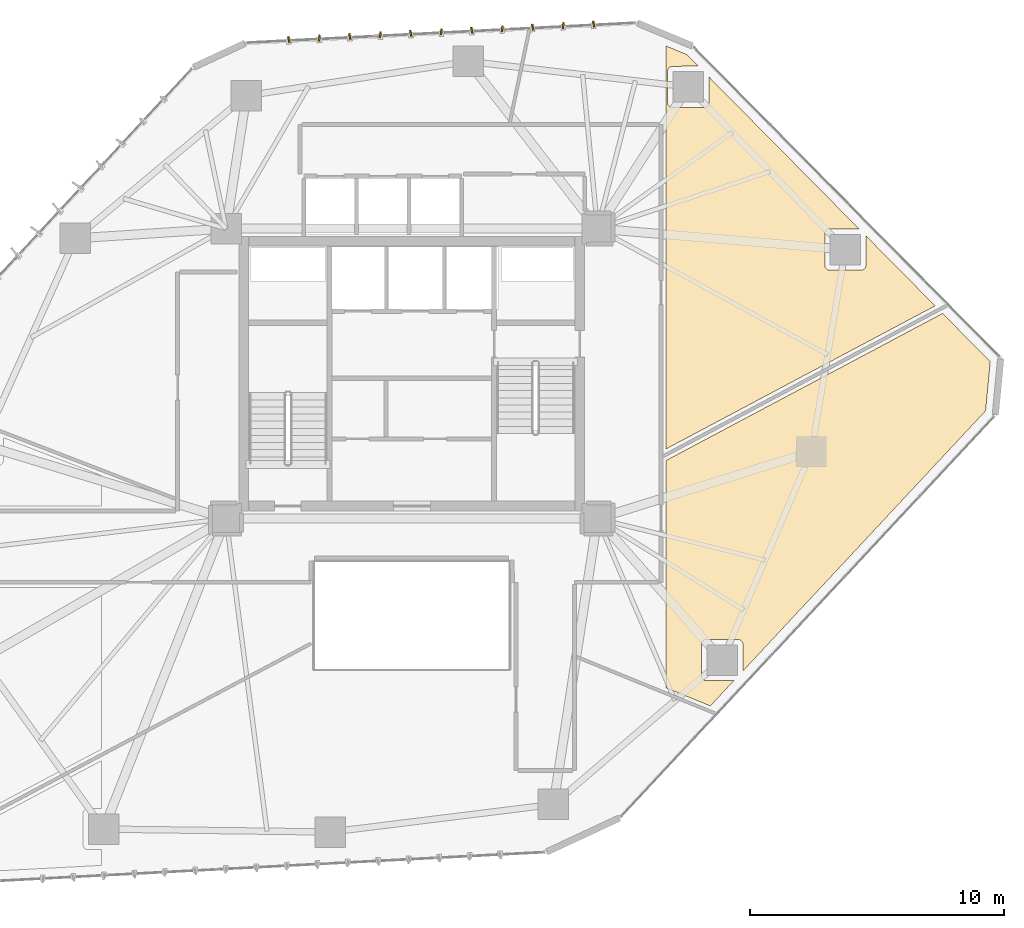
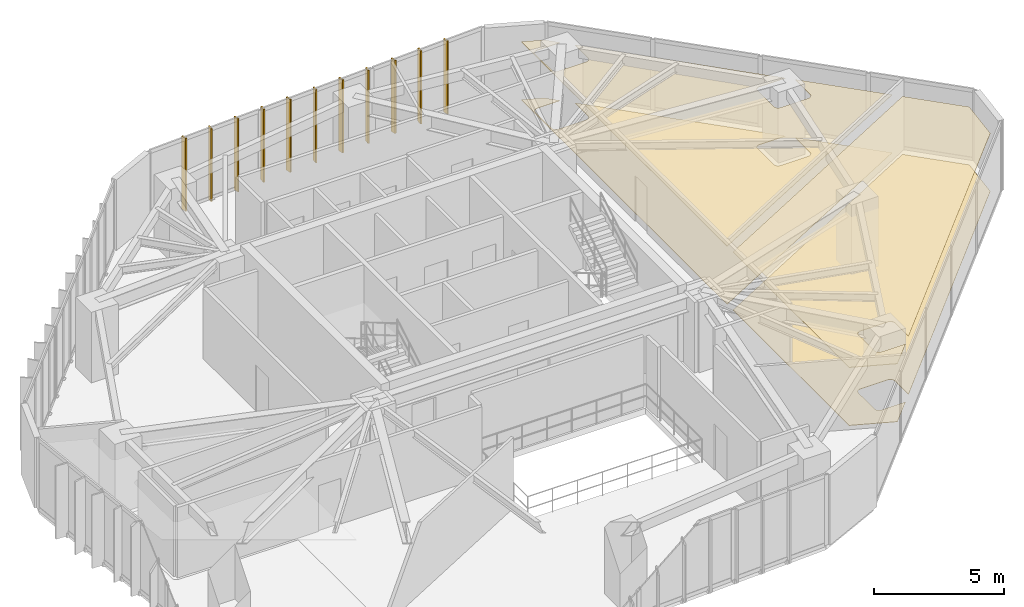
# One storey, part 23 of 23: 11 shading devices, 4 coverings.
"""IFC4 building model written with IfcOpenShell, lengths in metres."""

from ifc_helpers import new_model, si_unit, direction, frame, origin, origin_2d, place, context, subcontext, project, spatial, polyline, rectangle, outline, extrude, source, transform, mapped, material, layer, layer_set, type_object, type_shapes, element, save


model = new_model("IFC4")

# Units and contexts
model_context = context("Model", 3, precision=1e-05, world=origin(), true_north=direction((0.0, 1.0)))
body_context = subcontext(model_context, "Body", "Model", "MODEL_VIEW")
ifc_project = project(units=[si_unit("LENGTHUNIT", "METRE"), si_unit("AREAUNIT", "SQUARE_METRE"), si_unit("VOLUMEUNIT", "CUBIC_METRE"), si_unit("PLANEANGLEUNIT", "RADIAN"), si_unit("MASSUNIT", "GRAM", prefix="KILO")], contexts=[model_context])

# Site, building, storey
site_placement = place(None, origin())
site = spatial("IfcSite", under=ifc_project, at=site_placement, CompositionType="ELEMENT")
building_placement = place(site_placement, origin())
building = spatial("IfcBuilding", under=site, at=building_placement, Name="Talar Marvaseh", CompositionType="ELEMENT")
storey_placement = place(building_placement, frame((0.0, 0.0, 100.199951171875)))
storey = spatial("IfcBuildingStorey", under=building, at=storey_placement, Name="L25", CompositionType="ELEMENT", Elevation=100.199951171875)

# Coverings
ifc_material_1 = material(Name="Mineral Fibre Acoustic Ceiling")
ifc_layer_1 = layer(ifc_material_1, 0.02490234375)
ifc_layer_set_1 = layer_set([ifc_layer_1], Name="Mineral Fibre Acoustic Ceiling")
covering_type_1 = type_object("IfcCoveringType", Name="Perforated Mineral Fibre Acoustic Suspended Ceiling", PredefinedType="CEILING", material=ifc_layer_set_1)
covering_1_placement = place(storey_placement, frame((0.0, 0.0, 2.719970703125)))
element("IfcCovering", 1, at=covering_1_placement, inside=storey, type_object=covering_type_1, Name="L25 Archival Research Office Acoustic Ceiling", PredefinedType="CEILING", context=body_context, shape_type="SweptSolid", body=[
    extrude(outline(polyline([(36.0, 18.84619140625), (36.0, 23.0), (36.0, 27.79052734375), (46.865234375, 33.56787109375), (48.73876953125, 31.671630859375), (48.554931640625, 29.73828125), (39.017333984375, 19.513427734375), (39.02099609375, 20.541748046875), (39.02001953125, 20.560302734375), (39.017578125, 20.578857421875), (39.01318359375, 20.596923828125), (39.00732421875, 20.614501953125), (39.0, 20.631591796875), (38.990966796875, 20.64794921875), (38.980224609375, 20.663330078125), (38.968505859375, 20.677490234375), (38.955078125, 20.690673828125), (38.940185546875, 20.7041015625), (38.926025390625, 20.716064453125), (38.91064453125, 20.726318359375), (38.89453125, 20.7353515625), (38.877685546875, 20.74267578125), (38.860107421875, 20.74853515625), (38.842041015625, 20.752685546875), (38.82373046875, 20.755126953125), (38.805419921875, 20.756103515625), (37.5947265625, 20.751708984375), (37.5751953125, 20.75048828125), (37.555908203125, 20.74755859375), (37.536865234375, 20.742919921875), (37.518310546875, 20.736083984375), (37.500732421875, 20.727783203125), (37.48388671875, 20.717529296875), (37.46826171875, 20.705810546875), (37.45361328125, 20.69287109375), (37.440673828125, 20.67822265625), (37.428955078125, 20.66259765625), (37.4189453125, 20.645751953125), (37.41064453125, 20.6279296875), (37.404052734375, 20.609619140625), (37.399169921875, 20.590576171875), (37.396484375, 20.5712890625), (37.3955078125, 20.551513671875), (37.3955078125, 19.330322265625), (37.396484375, 19.310791015625), (37.399169921875, 19.29150390625), (37.404052734375, 19.272216796875), (37.41064453125, 19.25390625), (37.4189453125, 19.236083984375), (37.42919921875, 19.21923828125), (37.44091796875, 19.20361328125), (37.4541015625, 19.18896484375), (37.468505859375, 19.17578125), (37.484375, 19.1640625), (37.501220703125, 19.154052734375), (37.518798828125, 19.1455078125), (37.537353515625, 19.138916015625), (37.556396484375, 19.13427734375), (37.57568359375, 19.13134765625), (37.595458984375, 19.13037109375), (38.659912109375, 19.13037109375), (37.73583984375, 18.139892578125), (36.0, 18.84619140625)])), origin(), (0.0, 0.0, 1.0), 0.025146484375),
])
covering_2_placement = place(storey_placement, frame((0.0, 0.0, 2.719970703125)))
element("IfcCovering", 2, at=covering_2_placement, inside=storey, type_object=covering_type_1, Name="L25 Accessible WC Block Acoustic Ceiling", PredefinedType="CEILING", context=body_context, shape_type="SweptSolid", body=[
    extrude(outline(polyline([(36.254638671875, 43.281494140625), (36.235107421875, 43.280517578125), (36.2158203125, 43.277587890625), (36.19677734375, 43.272705078125), (36.178466796875, 43.26611328125), (36.16064453125, 43.2578125), (36.143798828125, 43.24755859375), (36.128173828125, 43.23583984375), (36.11376953125, 43.222900390625), (36.1005859375, 43.208251953125), (36.089111328125, 43.1923828125), (36.078857421875, 43.17578125), (36.070556640625, 43.157958984375), (36.06396484375, 43.139404296875), (36.05908203125, 43.12060546875), (36.056396484375, 43.101318359375), (36.055419921875, 43.08154296875), (36.055419921875, 41.8603515625), (36.056396484375, 41.8408203125), (36.05908203125, 41.8212890625), (36.06396484375, 41.80224609375), (36.070556640625, 41.783935546875), (36.0791015625, 41.76611328125), (36.089111328125, 41.749267578125), (36.100830078125, 41.7333984375), (36.114013671875, 41.718994140625), (36.12841796875, 41.705810546875), (36.144287109375, 41.694091796875), (36.1611328125, 41.68408203125), (36.178955078125, 41.675537109375), (36.197265625, 41.6689453125), (36.21630859375, 41.664306640625), (36.23583984375, 41.661376953125), (36.25537109375, 41.660400390625), (37.4765625, 41.660400390625), (37.49609375, 41.661376953125), (37.515380859375, 41.664306640625), (37.534423828125, 41.6689453125), (37.552978515625, 41.675537109375), (37.57080078125, 41.683837890625), (37.58740234375, 41.694091796875), (37.603271484375, 41.70556640625), (37.617919921875, 41.71875), (37.630859375, 41.733154296875), (37.642578125, 41.748779296875), (37.65283203125, 41.765625), (37.6611328125, 41.783447265625), (37.667724609375, 41.8017578125), (37.672607421875, 41.82080078125), (37.675537109375, 41.840087890625), (37.676513671875, 41.859619140625), (37.68017578125, 42.864501953125), (43.582275390625, 36.890869140625), (42.4326171875, 36.88671875), (42.4130859375, 36.885498046875), (42.393798828125, 36.882568359375), (42.374755859375, 36.877685546875), (42.3564453125, 36.87109375), (42.338623046875, 36.86279296875), (42.322021484375, 36.8525390625), (42.30615234375, 36.8408203125), (42.291748046875, 36.827880859375), (42.278564453125, 36.813232421875), (42.26708984375, 36.797607421875), (42.2568359375, 36.78076171875), (42.24853515625, 36.762939453125), (42.241943359375, 36.744384765625), (42.2373046875, 36.7255859375), (42.234375, 36.706298828125), (42.2333984375, 36.6865234375), (42.2333984375, 35.46533203125), (42.234375, 35.44580078125), (42.2373046875, 35.426513671875), (42.241943359375, 35.4072265625), (42.24853515625, 35.388916015625), (42.257080078125, 35.37109375), (42.26708984375, 35.354248046875), (42.27880859375, 35.33837890625), (42.2919921875, 35.323974609375), (42.306396484375, 35.310791015625), (42.322265625, 35.299072265625), (42.339111328125, 35.2890625), (42.35693359375, 35.280517578125), (42.375244140625, 35.27392578125), (42.394287109375, 35.269287109375), (42.413818359375, 35.266357421875), (42.433349609375, 35.265380859375), (43.654541015625, 35.265380859375), (43.67431640625, 35.266357421875), (43.693603515625, 35.269287109375), (43.71240234375, 35.27392578125), (43.73095703125, 35.280517578125), (43.748779296875, 35.288818359375), (43.765380859375, 35.299072265625), (43.78125, 35.310546875), (43.7958984375, 35.32373046875), (43.808837890625, 35.338134765625), (43.820556640625, 35.35400390625), (43.830810546875, 35.37060546875), (43.839111328125, 35.388427734375), (43.845703125, 35.40673828125), (43.8505859375, 35.42578125), (43.853515625, 35.445068359375), (43.8544921875, 35.464599609375), (43.858642578125, 36.611083984375), (46.572021484375, 33.86474609375), (36.0, 28.24365234375), (36.0, 41.0), (36.0, 44.07958984375), (36.81591796875, 43.739501953125), (37.2646484375, 43.285400390625), (36.254638671875, 43.281494140625)])), origin(), (0.0, 0.0, 1.0), 0.025146484375),
])
ifc_material_2 = material(Name="Porcelain Stoneware Tile", Category="masonry")
ifc_layer_2 = layer(ifc_material_2, 0.02001953125)
ifc_layer_set_2 = layer_set([ifc_layer_2], Name="Porcelain Stoneware Tile")
covering_type_2 = type_object("IfcCoveringType", Name="Polished Porcelain Stoneware Gallery Flooring", PredefinedType="FLOORING", material=ifc_layer_set_2)
covering_3_placement = place(storey_placement, origin())
element("IfcCovering", 3, at=covering_3_placement, inside=storey, type_object=covering_type_2, Name="L25 Archival Research Office Flooring", PredefinedType="FLOORING", context=body_context, shape_type="SweptSolid", body=[
    extrude(outline(polyline([(36.0, 18.84619140625), (36.0, 23.0), (36.0, 27.79052734375), (46.865234375, 33.56787109375), (48.73876953125, 31.671630859375), (48.554931640625, 29.73828125), (39.017333984375, 19.513427734375), (39.02099609375, 20.541748046875), (39.02001953125, 20.560302734375), (39.017578125, 20.578857421875), (39.01318359375, 20.596923828125), (39.00732421875, 20.614501953125), (39.0, 20.631591796875), (38.990966796875, 20.64794921875), (38.980224609375, 20.663330078125), (38.968505859375, 20.677490234375), (38.955078125, 20.690673828125), (38.940185546875, 20.7041015625), (38.926025390625, 20.716064453125), (38.91064453125, 20.726318359375), (38.89453125, 20.7353515625), (38.877685546875, 20.74267578125), (38.860107421875, 20.74853515625), (38.842041015625, 20.752685546875), (38.82373046875, 20.755126953125), (38.805419921875, 20.756103515625), (37.5947265625, 20.751708984375), (37.5751953125, 20.75048828125), (37.555908203125, 20.74755859375), (37.536865234375, 20.742919921875), (37.518310546875, 20.736083984375), (37.500732421875, 20.727783203125), (37.48388671875, 20.717529296875), (37.46826171875, 20.705810546875), (37.45361328125, 20.69287109375), (37.440673828125, 20.67822265625), (37.428955078125, 20.66259765625), (37.4189453125, 20.645751953125), (37.41064453125, 20.6279296875), (37.404052734375, 20.609619140625), (37.399169921875, 20.590576171875), (37.396484375, 20.5712890625), (37.3955078125, 20.551513671875), (37.3955078125, 19.330322265625), (37.396484375, 19.310791015625), (37.399169921875, 19.29150390625), (37.404052734375, 19.272216796875), (37.41064453125, 19.25390625), (37.4189453125, 19.236083984375), (37.42919921875, 19.21923828125), (37.44091796875, 19.20361328125), (37.4541015625, 19.18896484375), (37.468505859375, 19.17578125), (37.484375, 19.1640625), (37.501220703125, 19.154052734375), (37.518798828125, 19.1455078125), (37.537353515625, 19.138916015625), (37.556396484375, 19.13427734375), (37.57568359375, 19.13134765625), (37.595458984375, 19.13037109375), (38.659912109375, 19.13037109375), (37.73583984375, 18.139892578125), (36.0, 18.84619140625)])), origin(), (0.0, 0.0, 1.0), 0.02001953125),
])
covering_4_placement = place(storey_placement, origin())
element("IfcCovering", 4, at=covering_4_placement, inside=storey, type_object=covering_type_2, Name="L25 Accessible WC Block Flooring", PredefinedType="FLOORING", context=body_context, shape_type="SweptSolid", body=[
    extrude(outline(polyline([(36.254638671875, 43.281494140625), (36.235107421875, 43.280517578125), (36.2158203125, 43.277587890625), (36.19677734375, 43.272705078125), (36.178466796875, 43.26611328125), (36.16064453125, 43.2578125), (36.143798828125, 43.24755859375), (36.128173828125, 43.23583984375), (36.11376953125, 43.222900390625), (36.1005859375, 43.208251953125), (36.089111328125, 43.1923828125), (36.078857421875, 43.17578125), (36.070556640625, 43.157958984375), (36.06396484375, 43.139404296875), (36.05908203125, 43.12060546875), (36.056396484375, 43.101318359375), (36.055419921875, 43.08154296875), (36.055419921875, 41.8603515625), (36.056396484375, 41.8408203125), (36.05908203125, 41.8212890625), (36.06396484375, 41.80224609375), (36.070556640625, 41.783935546875), (36.0791015625, 41.76611328125), (36.089111328125, 41.749267578125), (36.100830078125, 41.7333984375), (36.114013671875, 41.718994140625), (36.12841796875, 41.705810546875), (36.144287109375, 41.694091796875), (36.1611328125, 41.68408203125), (36.178955078125, 41.675537109375), (36.197265625, 41.6689453125), (36.21630859375, 41.664306640625), (36.23583984375, 41.661376953125), (36.25537109375, 41.660400390625), (37.4765625, 41.660400390625), (37.49609375, 41.661376953125), (37.515380859375, 41.664306640625), (37.534423828125, 41.6689453125), (37.552978515625, 41.675537109375), (37.57080078125, 41.683837890625), (37.58740234375, 41.694091796875), (37.603271484375, 41.70556640625), (37.617919921875, 41.71875), (37.630859375, 41.733154296875), (37.642578125, 41.748779296875), (37.65283203125, 41.765625), (37.6611328125, 41.783447265625), (37.667724609375, 41.8017578125), (37.672607421875, 41.82080078125), (37.675537109375, 41.840087890625), (37.676513671875, 41.859619140625), (37.68017578125, 42.864501953125), (43.582275390625, 36.890869140625), (42.4326171875, 36.88671875), (42.4130859375, 36.885498046875), (42.393798828125, 36.882568359375), (42.374755859375, 36.877685546875), (42.3564453125, 36.87109375), (42.338623046875, 36.86279296875), (42.322021484375, 36.8525390625), (42.30615234375, 36.8408203125), (42.291748046875, 36.827880859375), (42.278564453125, 36.813232421875), (42.26708984375, 36.797607421875), (42.2568359375, 36.78076171875), (42.24853515625, 36.762939453125), (42.241943359375, 36.744384765625), (42.2373046875, 36.7255859375), (42.234375, 36.706298828125), (42.2333984375, 36.6865234375), (42.2333984375, 35.46533203125), (42.234375, 35.44580078125), (42.2373046875, 35.426513671875), (42.241943359375, 35.4072265625), (42.24853515625, 35.388916015625), (42.257080078125, 35.37109375), (42.26708984375, 35.354248046875), (42.27880859375, 35.33837890625), (42.2919921875, 35.323974609375), (42.306396484375, 35.310791015625), (42.322265625, 35.299072265625), (42.339111328125, 35.2890625), (42.35693359375, 35.280517578125), (42.375244140625, 35.27392578125), (42.394287109375, 35.269287109375), (42.413818359375, 35.266357421875), (42.433349609375, 35.265380859375), (43.654541015625, 35.265380859375), (43.67431640625, 35.266357421875), (43.693603515625, 35.269287109375), (43.71240234375, 35.27392578125), (43.73095703125, 35.280517578125), (43.748779296875, 35.288818359375), (43.765380859375, 35.299072265625), (43.78125, 35.310546875), (43.7958984375, 35.32373046875), (43.808837890625, 35.338134765625), (43.820556640625, 35.35400390625), (43.830810546875, 35.37060546875), (43.839111328125, 35.388427734375), (43.845703125, 35.40673828125), (43.8505859375, 35.42578125), (43.853515625, 35.445068359375), (43.8544921875, 35.464599609375), (43.858642578125, 36.611083984375), (46.572021484375, 33.86474609375), (36.0, 28.24365234375), (36.0, 41.0), (36.0, 44.07958984375), (36.81591796875, 43.739501953125), (37.2646484375, 43.285400390625), (36.254638671875, 43.281494140625)])), origin(), (0.0, 0.0, 1.0), 0.02001953125),
])

# Shading devices
ifc_material_3 = material(Name="Anodised Champagne Bronze Aluminium", Category="aluminium")
ifc_layer_3 = layer(ifc_material_3, 0.06494140625)
ifc_layer_set_3 = layer_set([ifc_layer_3], Name="Anodised Champagne Bronze Aluminium")
shading_device_type = type_object("IfcShadingDeviceType", Name="Sawtooth Champagne Bronze Vertical Fin 240", PredefinedType="USERDEFINED", material=ifc_layer_set_3)
shared_shape = source(origin(), body_context, "Body", "SweptSolid", [
    extrude(rectangle(XDim=0.239990234375, YDim=0.06494140625, at=origin_2d()), origin(), (0.0, 0.0, 1.0), 3.429931640625),
])
type_shapes(shading_device_type, [shared_shape])
for number, where, z_axis, x_axis, name in (
    (5, (21.16650390625, 44.33203125, -0.1201171875), (0.0, 0.0, 1.0), (-0.189609569425, 0.981859567954, 0.0), "L25 Sawtooth Vertical Solar Fin"),
    (6, (22.364990234375, 44.393310546875, -0.1201171875), (0.0, 0.0, 1.0), (0.088372758823, 0.996087473818, 0.0), "L25 Sawtooth Vertical Solar Fin"),
    (7, (23.563232421875, 44.454833984375, -0.1201171875), (0.0, 0.0, 1.0), (-0.189609569425, 0.981859567954, 0.0), "L25 Sawtooth Vertical Solar Fin"),
    (8, (24.76171875, 44.51611328125, -0.1201171875), (0.0, 0.0, 1.0), (0.088372758823, 0.996087473818, 0.0), "L25 Sawtooth Vertical Solar Fin"),
    (9, (25.960205078125, 44.577392578125, -0.1201171875), (0.0, 0.0, 1.0), (-0.189609569425, 0.981859567954, 0.0), "L25 Sawtooth Vertical Solar Fin"),
    (10, (27.15869140625, 44.638916015625, -0.1201171875), (0.0, 0.0, 1.0), (0.088372758823, 0.996087473818, 0.0), "L25 Sawtooth Vertical Solar Fin"),
    (11, (28.357177734375, 44.7001953125, -0.1201171875), (0.0, 0.0, 1.0), (-0.189609569425, 0.981859567954, 0.0), "L25 Sawtooth Vertical Solar Fin"),
    (12, (29.555419921875, 44.76171875, -0.1201171875), (0.0, 0.0, 1.0), (0.088372758823, 0.996087473818, 0.0), "L25 Sawtooth Vertical Solar Fin"),
    (13, (30.75390625, 44.822998046875, -0.1201171875), (0.0, 0.0, 1.0), (-0.189609569425, 0.981859567954, 0.0), "L25 Sawtooth Vertical Solar Fin"),
    (14, (31.952392578125, 44.884521484375, -0.1201171875), (0.0, 0.0, 1.0), (0.088372758823, 0.996087473818, 0.0), "L25 Sawtooth Vertical Solar Fin"),
    (15, (33.15087890625, 44.94580078125, -0.1201171875), (0.0, 0.0, 1.0), (-0.189609569425, 0.981859567954, 0.0), "L25 Sawtooth Vertical Solar Fin"),
):
    element("IfcShadingDevice", number, at=place(storey_placement, frame(where, z_axis=z_axis, x_axis=x_axis)), inside=storey, type_object=shading_device_type, Name=name, ObjectType="FIN", PredefinedType="USERDEFINED", context=body_context, shape_type="MappedRepresentation", body=[
        mapped(shared_shape, transform((0.0, 0.0, 0.0), x_axis=(1.0, 0.0, 0.0), y_axis=(0.0, 1.0, 0.0), z_axis=(0.0, 0.0, 1.0), scale=1.0)),
    ])

save(model, "model.ifc")
